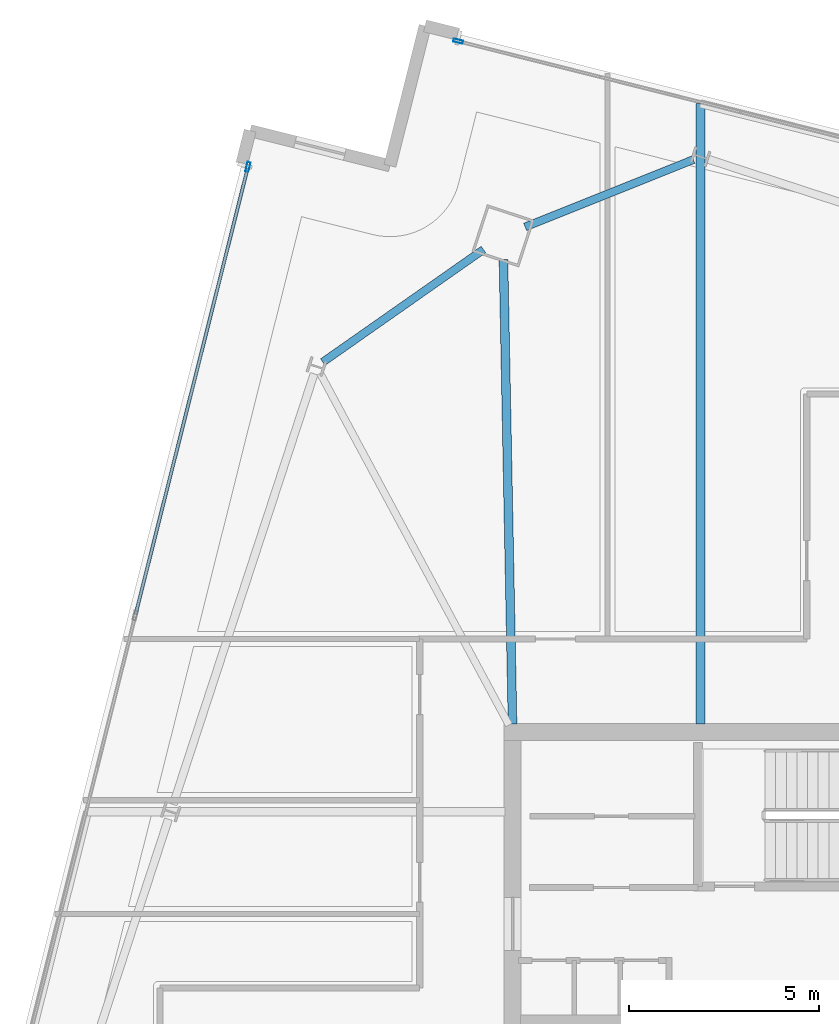
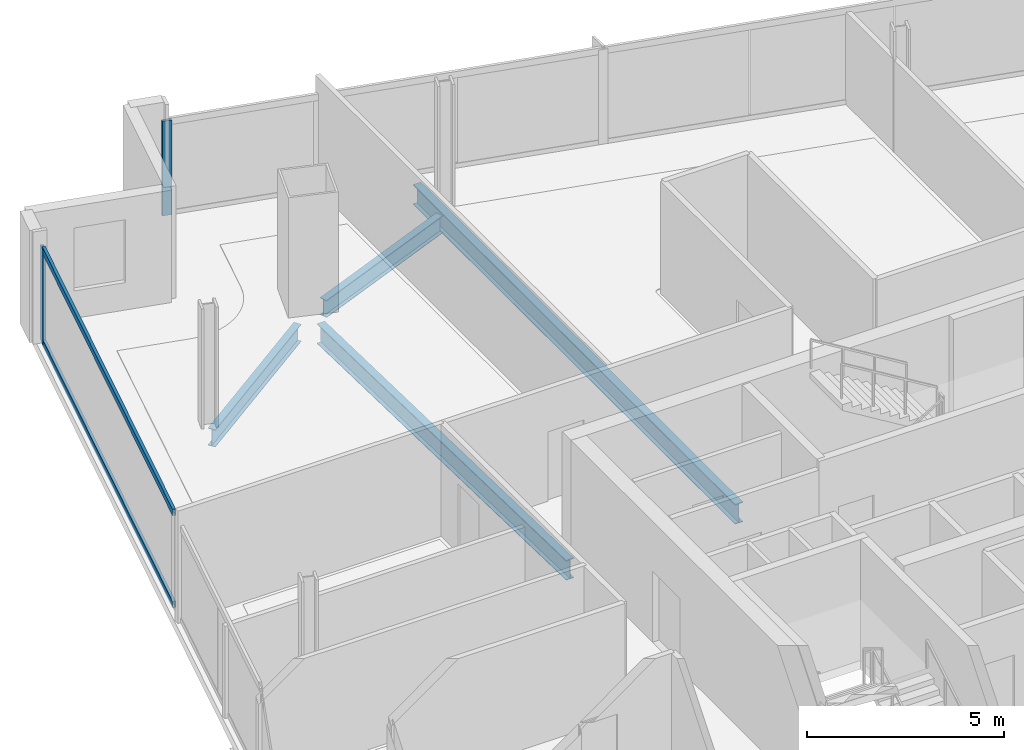
# One storey, part 13 of 28: 4 beams, 4 members, 2 elements without a shape of their own.
"""IFC4 building model written with IfcOpenShell, lengths in metres."""

import ifcopenshell
import ifcopenshell.guid

model = None  # the IFC model being written
_history = None  # IfcOwnerHistory: only IFC2X3 demands one
_inside = {}  # id of a spatial element -> (the spatial element, [elements in it])
_under = {}  # id of a project, library or spatial element -> (it, [spatial elements below it])
_declared = {}  # id of a project -> (the project, [libraries it declares])
_typed = {}  # id of a type object -> (the type object, [elements of that type])
_made_of = {}  # id of a material, layer set ... -> (it, [elements and type objects made of it])


def new_model(schema):
    """Start an empty IFC model of exactly this schema.

    Asked for "IFC4X3", IfcOpenShell would pick the latest addendum, in which some entities
    have other attributes; the version numbers below select the first issue.
    IFC2X3 requires an IfcOwnerHistory on every rooted entity: one is made here for all.
    """
    global model, _history
    if schema == "IFC4X3":
        model = ifcopenshell.file(schema_version=(4, 3, 0, 0))
    else:
        model = ifcopenshell.file(schema=schema)
    _inside.clear()
    _under.clear()
    _declared.clear()
    _typed.clear()
    _made_of.clear()
    _history = None
    if model.schema == "IFC2X3":
        org = make("IfcOrganization", Name="unknown")
        user = make(
            "IfcPersonAndOrganization",
            ThePerson=make("IfcPerson", FamilyName="unknown"),
            TheOrganization=org,
        )
        app = make(
            "IfcApplication",
            ApplicationDeveloper=org,
            Version="unknown",
            ApplicationFullName="unknown",
            ApplicationIdentifier="unknown",
        )
        _history = make(
            "IfcOwnerHistory",
            OwningUser=user,
            OwningApplication=app,
            ChangeAction="ADDED",
            CreationDate=0,
        )
    return model


def make(cls, **values):
    """One entity of the class cls with the attributes given. An attribute that is None is left unset."""
    return model.create_entity(
        cls, **{name: value for name, value in values.items() if value is not None}
    )


def rooted(cls, **values):
    """An entity with a GlobalId (a new one), such as an element, a storey or a relation."""
    return make(cls, GlobalId=ifcopenshell.guid.new(), OwnerHistory=_history, **values)


def si_unit(unit_type, name, prefix=None):
    """IfcSIUnit, for example si_unit("LENGTHUNIT", "METRE", prefix="MILLI")."""
    return make("IfcSIUnit", UnitType=unit_type, Prefix=prefix, Name=name)


def assignment(units):
    """IfcUnitAssignment: the units of a project."""
    return None if units is None else make("IfcUnitAssignment", Units=units)


def point(xyz):
    """IfcCartesianPoint."""
    return None if xyz is None else make("IfcCartesianPoint", Coordinates=xyz)


def direction(xyz):
    """IfcDirection."""
    return None if xyz is None else make("IfcDirection", DirectionRatios=xyz)


def frame(location, z_axis=None, x_axis=None):
    """IfcAxis2Placement3D, a coordinate frame: its origin and axes. An axis left out is left unset."""
    return make(
        "IfcAxis2Placement3D",
        Location=point(location),
        Axis=direction(z_axis),
        RefDirection=direction(x_axis),
    )


def frame_2d(location, x_axis=None):
    """IfcAxis2Placement2D, a coordinate frame in the plane: its origin and x axis."""
    return make(
        "IfcAxis2Placement2D", Location=point(location), RefDirection=direction(x_axis)
    )


def origin():
    """The frame at (0, 0, 0) with its axes left unset."""
    return frame((0.0, 0.0, 0.0))


def origin_2d():
    """The frame at (0, 0) in the plane with its x axis left unset."""
    return frame_2d((0.0, 0.0))


def place(relative_to, where):
    """IfcLocalPlacement: puts the frame where relative to a parent placement (None: the world)."""
    return make(
        "IfcLocalPlacement", PlacementRelTo=relative_to, RelativePlacement=where
    )


def context(
    kind, dimensions, precision=None, world=None, true_north=None, identifier=None
):
    """IfcGeometricRepresentationContext, for example the 3D "Model" context."""
    return make(
        "IfcGeometricRepresentationContext",
        ContextIdentifier=identifier,
        ContextType=kind,
        CoordinateSpaceDimension=dimensions,
        Precision=precision,
        WorldCoordinateSystem=world,
        TrueNorth=true_north,
    )


def subcontext(parent, identifier, kind, view, scale=None):
    """IfcGeometricRepresentationSubContext, for example "Body" below "Model"."""
    return make(
        "IfcGeometricRepresentationSubContext",
        ContextIdentifier=identifier,
        ContextType=kind,
        ParentContext=parent,
        TargetScale=scale,
        TargetView=view,
    )


def project(units=None, contexts=None):
    """IfcProject with its units and contexts."""
    return rooted(
        "IfcProject",
        Name="project",
        RepresentationContexts=contexts,
        UnitsInContext=assignment(units),
    )


def spatial(cls, under=None, at=None, **own):
    """A site, building, storey or space (cls), placed at a placement, below another one or the project."""
    s = rooted(cls, ObjectPlacement=at, **own)
    if under is not None:
        _under.setdefault(under.id(), (under, []))[1].append(s)
    return s


def profile(cls, at=None, kind="AREA", **sizes):
    """A parametric profile (cls). Its sizes go by their IFC names, for example OverallWidth=200.0."""
    return make(cls, ProfileType=kind, Position=at, **sizes)


def hollow_rectangle(**sizes):
    """IfcRectangleHollowProfileDef."""
    return profile("IfcRectangleHollowProfileDef", **sizes)


def i_section(**sizes):
    """IfcIShapeProfileDef."""
    return profile("IfcIShapeProfileDef", **sizes)


def extrude(swept, where, along, depth):
    """IfcExtrudedAreaSolid: the profile swept, set in the frame where, extruded along a direction by depth."""
    return make(
        "IfcExtrudedAreaSolid",
        SweptArea=swept,
        Position=where,
        ExtrudedDirection=direction(along),
        Depth=depth,
    )


def shape(context_of_items, identifier, shape_type, items):
    """IfcShapeRepresentation: the items that make up one representation, for example the "Body"."""
    return make(
        "IfcShapeRepresentation",
        ContextOfItems=context_of_items,
        RepresentationIdentifier=identifier,
        RepresentationType=shape_type,
        Items=items,
    )


def material(Name=None, Category=None):
    """IfcMaterial."""
    return make("IfcMaterial", Name=Name, Category=Category)


def material_profile(
    of_material, cross_section, Name=None, Category=None, Priority=None
):
    """IfcMaterialProfile: a cross section and its material."""
    return make(
        "IfcMaterialProfile",
        Name=Name,
        Material=of_material,
        Profile=cross_section,
        Priority=Priority,
        Category=Category,
    )


def profile_set(profiles, Name=None, composite=None):
    """IfcMaterialProfileSet."""
    return make(
        "IfcMaterialProfileSet",
        Name=Name,
        MaterialProfiles=profiles,
        CompositeProfile=composite,
    )


def made_of(thing, what):
    """Note that an element or type object is made of a material, layer set ...; save() writes the relation."""
    if what is not None:
        _made_of.setdefault(what.id(), (what, []))[1].append(thing)
    return thing


def type_object(cls, material=None, **own):
    """A type object (cls), such as IfcWallType, which elements share."""
    return made_of(rooted(cls, **own), material)


def element(
    cls,
    number,
    at=None,
    inside=None,
    cuts=None,
    type_object=None,
    material=None,
    context=None,
    identifier="Body",
    shape_type=None,
    held_by="IfcProductDefinitionShape",
    body=None,
    shapes=None,
    **own,
):
    """One element of the class cls, such as IfcWall. Its Tag is "e" and its number.

    at: its placement. inside: the storey or other place that contains it. cuts: it is an
    opening in that element (IfcRelVoidsElement). A single representation is given by context,
    identifier, shape_type and body (its items); several are given by shapes. held_by: the class
    of the entity that holds the representations. save() writes the other relations.
    """
    e = rooted(cls, Tag="e%d" % number, ObjectPlacement=at, **own)
    if body is not None:
        shapes = [shape(context, identifier, shape_type, body)]
    if shapes is not None:
        e.Representation = make(held_by, Representations=shapes)
    if inside is not None:
        _inside.setdefault(inside.id(), (inside, []))[1].append(e)
    if cuts is not None:
        rooted(
            "IfcRelVoidsElement", RelatingBuildingElement=cuts, RelatedOpeningElement=e
        )
    if type_object is not None:
        _typed.setdefault(type_object.id(), (type_object, []))[1].append(e)
    return made_of(e, material)


def aggregate(whole, parts):
    """IfcRelAggregates: a whole, such as a stair, and the parts it consists of."""
    return rooted("IfcRelAggregates", RelatingObject=whole, RelatedObjects=parts)


def save(model, path):
    """Write the relations noted so far, then the file.

    IfcRelAggregates (storeys below a building ...), IfcRelContainedInSpatialStructure (elements
    in a storey), IfcRelDefinesByType, IfcRelAssociatesMaterial and IfcRelDeclares: one each for
    every whole, place, type object, material and project.
    """
    for whole, parts in _under.values():
        aggregate(whole, parts)
    for where, things in _inside.values():
        rooted(
            "IfcRelContainedInSpatialStructure",
            RelatedElements=things,
            RelatingStructure=where,
        )
    for kind, things in _typed.values():
        rooted("IfcRelDefinesByType", RelatedObjects=things, RelatingType=kind)
    for what, things in _made_of.values():
        rooted("IfcRelAssociatesMaterial", RelatedObjects=things, RelatingMaterial=what)
    for by, libraries in _declared.values():
        rooted("IfcRelDeclares", RelatingContext=by, RelatedDefinitions=libraries)
    model.write(path)


model = new_model("IFC4")

# Units and contexts
model_context = context("Model", 3, precision=1e-05, world=origin(), true_north=direction((0.0, 1.0)))
body_context = subcontext(model_context, "Body", "Model", "MODEL_VIEW")
ifc_project = project(units=[si_unit("LENGTHUNIT", "METRE"), si_unit("AREAUNIT", "SQUARE_METRE"), si_unit("VOLUMEUNIT", "CUBIC_METRE"), si_unit("PLANEANGLEUNIT", "RADIAN"), si_unit("MASSUNIT", "GRAM", prefix="KILO")], contexts=[model_context])

# Site, building, storey
site_placement = place(None, origin())
site = spatial("IfcSite", under=ifc_project, at=site_placement, CompositionType="ELEMENT")
building_placement = place(site_placement, origin())
building = spatial("IfcBuilding", under=site, at=building_placement, Name="Haldenkirk Collegiate Tower", CompositionType="ELEMENT")
storey_placement = place(building_placement, frame((0.0, 0.0, 282.449951171875)))
storey = spatial("IfcBuildingStorey", under=building, at=storey_placement, Name="L71", CompositionType="ELEMENT", Elevation=282.449951171875)

# Beams
ifc_material_1 = material(Name="Steel ASTM A992 Grade 50", Category="steel")
ifc_material_profile_1 = material_profile(ifc_material_1, i_section(OverallWidth=0.22998046875, OverallDepth=0.616943359375, WebThickness=0.01318359375, FlangeThickness=0.022216796875, at=origin_2d()), Name="W24X94")
ifc_profile_set_1 = profile_set([ifc_material_profile_1], Name="Steel ASTM A992 Grade 50")
beam_type_1 = type_object("IfcBeamType", Name="BM-GIRDER-W24X94", PredefinedType="BEAM", material=ifc_profile_set_1)
beam_1_placement = place(storey_placement, frame((26.75732421875, 46.443603515625, -0.578369140625), z_axis=(0.019505953171, -0.999809740796, 0.0), x_axis=(0.999809740796, 0.019505953171, 0.0)))
element("IfcBeam", 1, at=beam_1_placement, inside=storey, type_object=beam_type_1, Name="L71 primary floor girder 03", PredefinedType="BEAM", context=body_context, shape_type="SweptSolid", body=[
    extrude(i_section(OverallWidth=0.22998046875, OverallDepth=0.616943359375, WebThickness=0.01318359375, FlangeThickness=0.022216796875, at=origin_2d()), origin(), (0.0, 0.0, 1.0), 12.240966796875),
])
beam_2_placement = place(storey_placement, frame((31.949462890625, 50.556640625, -0.578369140625), z_axis=(0.0, -1.0, 0.0), x_axis=(1.0, 0.0, 0.0)))
element("IfcBeam", 2, at=beam_2_placement, inside=storey, type_object=beam_type_1, Name="L71 primary floor girder 10", PredefinedType="BEAM", context=body_context, shape_type="SweptSolid", body=[
    extrude(i_section(OverallWidth=0.22998046875, OverallDepth=0.616943359375, WebThickness=0.01318359375, FlangeThickness=0.022216796875, at=origin_2d()), origin(), (0.0, 0.0, 1.0), 16.3515625),
])
ifc_material_profile_2 = material_profile(ifc_material_1, i_section(OverallWidth=0.2099609375, OverallDepth=0.537109375, WebThickness=0.010986328125, FlangeThickness=0.017333984375, at=origin_2d()), Name="W21X68")
ifc_profile_set_2 = profile_set([ifc_material_profile_2], Name="Steel ASTM A992 Grade 50")
beam_type_2 = type_object("IfcBeamType", Name="BM-SPANDREL-W21X68", PredefinedType="SPANDREL", material=ifc_profile_set_2)
beam_3_placement = place(storey_placement, frame((31.761474609375, 49.0830078125, -0.538330078125), z_axis=(-0.928296709602, -0.371840313768, 0.0), x_axis=(0.371840313768, -0.928296709602, 0.0)))
element("IfcBeam", 3, at=beam_3_placement, inside=storey, type_object=beam_type_2, Name="L71 perimeter spandrel beam 08", PredefinedType="SPANDREL", context=body_context, shape_type="SweptSolid", body=[
    extrude(i_section(OverallWidth=0.2099609375, OverallDepth=0.537109375, WebThickness=0.010986328125, FlangeThickness=0.017333984375, at=origin_2d()), origin(), (0.0, 0.0, 1.0), 4.77392578125),
])
beam_4_placement = place(storey_placement, frame((26.22900390625, 46.7119140625, -0.538330078125), z_axis=(-0.818927819185, -0.573896529842, 0.0), x_axis=(0.573896529842, -0.818927819185, 0.0)))
element("IfcBeam", 4, at=beam_4_placement, inside=storey, type_object=beam_type_2, Name="L71 perimeter spandrel beam 09", PredefinedType="SPANDREL", context=body_context, shape_type="SweptSolid", body=[
    extrude(i_section(OverallWidth=0.2099609375, OverallDepth=0.537109375, WebThickness=0.010986328125, FlangeThickness=0.017333984375, at=origin_2d()), origin(), (0.0, 0.0, 1.0), 5.169189453125),
])

# Curtain wall, member
ifc_material_2 = material(Name="Anodised architectural bronze aluminium", Category="aluminium")
curtain_wall_type = type_object("IfcCurtainWallType", Name="CW-SYS1B-CONVEX-HI", PredefinedType="USERDEFINED", material=ifc_material_2)
curtain_wall_1_placement = place(storey_placement, origin())
curtain_wall_1 = element("IfcCurtainWall", 5, at=curtain_wall_1_placement, inside=storey, type_object=curtain_wall_type, Name="L71 Upper tower high-wind convex bronze unitised curtain wall", ObjectType="UNITISED CURTAIN WALL", PredefinedType="USERDEFINED")
ifc_material_profile_3 = material_profile(ifc_material_2, hollow_rectangle(XDim=0.0849609375, YDim=0.25, WallThickness=0.0048828125, at=origin_2d()), Name="CW-MUL-1B")
ifc_profile_set_3 = profile_set([ifc_material_profile_3], Name="Anodised architectural bronze aluminium")
member_type_1 = type_object("IfcMemberType", Name="CW-MUL-1B", PredefinedType="MULLION", material=ifc_profile_set_3)
member_1_placement = place(storey_placement, frame((25.561279296875, 52.202392578125, 0.0), z_axis=(0.0, 0.0, 1.0), x_axis=(0.243611692191, 0.969872849103, 0.0)))
member_1 = element("IfcMember", 6, at=member_1_placement, type_object=member_type_1, Name="CW-1B mullion 1", PredefinedType="MULLION", context=body_context, shape_type="SweptSolid", body=[
    extrude(hollow_rectangle(XDim=0.0849609375, YDim=0.25, WallThickness=0.0048828125, at=origin_2d()), origin(), (0.0, 0.0, 1.0), 2.93798828125),
])
aggregate(curtain_wall_1, [member_1])

# Curtain wall, members
curtain_wall_2_placement = place(storey_placement, origin())
curtain_wall_2 = element("IfcCurtainWall", 7, at=curtain_wall_2_placement, inside=storey, type_object=curtain_wall_type, Name="L71 Upper tower high-wind convex bronze unitised curtain wall", ObjectType="UNITISED CURTAIN WALL", PredefinedType="USERDEFINED")
member_2_placement = place(storey_placement, frame((20.024658203125, 48.888916015625, 0.0), z_axis=(0.0, 0.0, 1.0), x_axis=(-0.969872467161, 0.243613212786, 0.0)))
member_2 = element("IfcMember", 8, at=member_2_placement, type_object=member_type_1, Name="CW-1B mullion 4", PredefinedType="MULLION", context=body_context, shape_type="SweptSolid", body=[
    extrude(hollow_rectangle(XDim=0.0849609375, YDim=0.25, WallThickness=0.0048828125, at=origin_2d()), origin(), (0.0, 0.0, 1.0), 2.93798828125),
])
ifc_material_profile_4 = material_profile(ifc_material_2, hollow_rectangle(XDim=0.0849609375, YDim=0.199951171875, WallThickness=0.0048828125, at=origin_2d()), Name="CW-TRN-1B")
ifc_profile_set_4 = profile_set([ifc_material_profile_4], Name="Anodised architectural bronze aluminium")
member_type_2 = type_object("IfcMemberType", Name="CW-TRN-1B", PredefinedType="USERDEFINED", material=ifc_profile_set_4)
member_3_placement = place(storey_placement, frame((17.065185546875, 37.1064453125, 0.04248046875), z_axis=(0.24361737452, 0.969871421804, 0.0), x_axis=(-0.969871421804, 0.24361737452, 0.0)))
member_3 = element("IfcMember", 9, at=member_3_placement, type_object=member_type_2, Name="CW-1B transom 3.1", ObjectType="TRANSOM", PredefinedType="USERDEFINED", context=body_context, shape_type="SweptSolid", body=[
    extrude(hollow_rectangle(XDim=0.0849609375, YDim=0.199951171875, WallThickness=0.0048828125, at=origin_2d()), origin(), (0.0, 0.0, 1.0), 12.10595703125),
])
member_4_placement = place(storey_placement, frame((17.065185546875, 37.1064453125, 2.8955078125), z_axis=(0.24361737452, 0.969871421804, 0.0), x_axis=(-0.969871421804, 0.24361737452, 0.0)))
member_4 = element("IfcMember", 10, at=member_4_placement, type_object=member_type_2, Name="CW-1B transom 3.2", ObjectType="TRANSOM", PredefinedType="USERDEFINED", context=body_context, shape_type="SweptSolid", body=[
    extrude(hollow_rectangle(XDim=0.0849609375, YDim=0.199951171875, WallThickness=0.0048828125, at=origin_2d()), origin(), (0.0, 0.0, 1.0), 12.10595703125),
])
aggregate(curtain_wall_2, [member_2, member_3, member_4])

save(model, "model.ifc")
